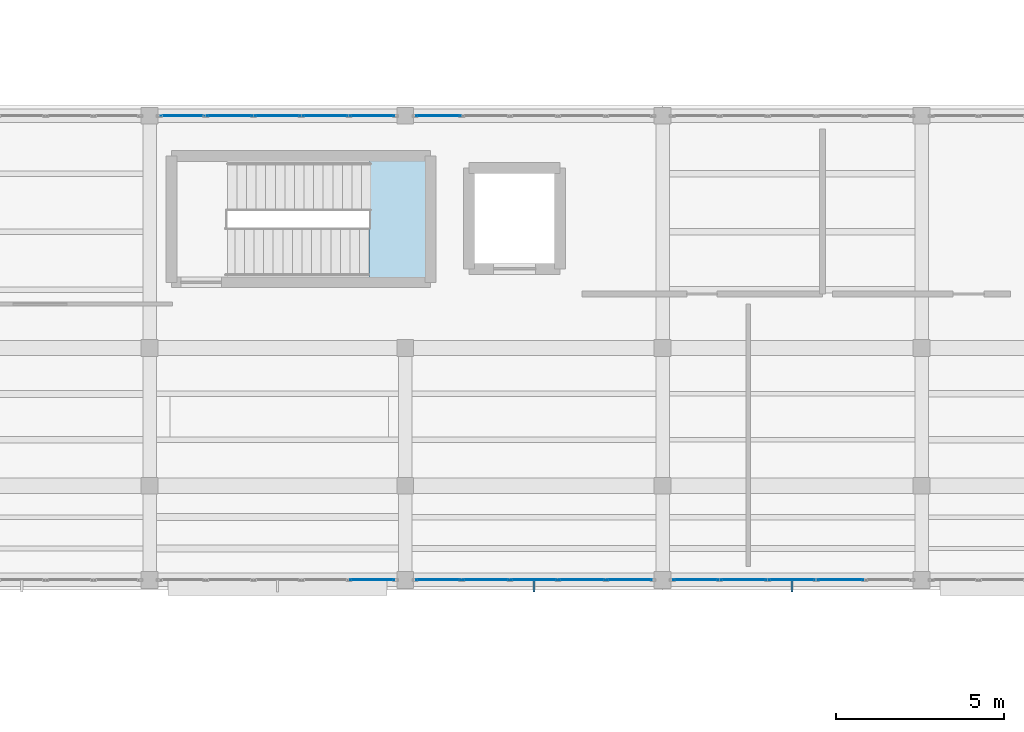
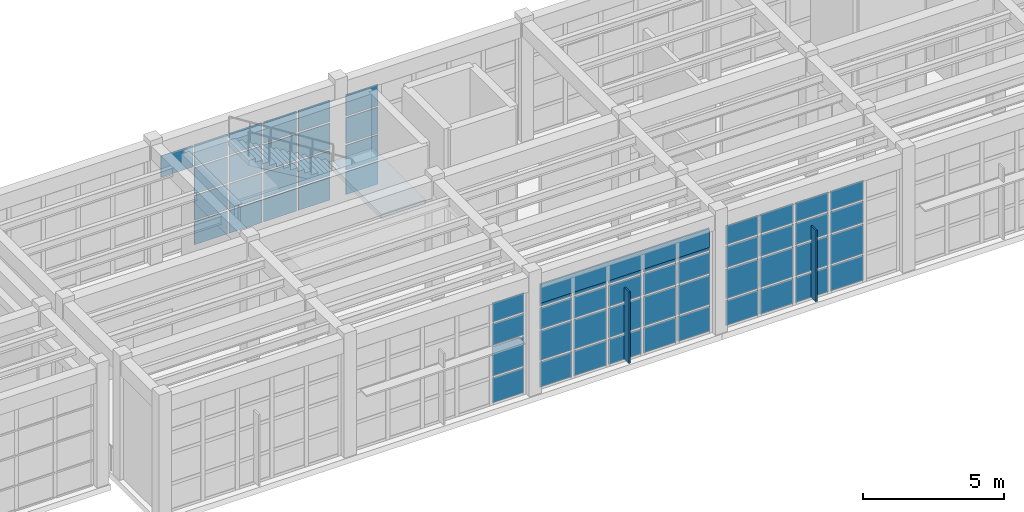
# One storey, part 70 of 103: 64 plates, 1 slab, 6 elements without a shape of their own.
"""IFC4 building model written with IfcOpenShell, lengths in metres."""

from ifc_helpers import new_model, si_unit, direction, frame, origin, origin_2d, place, context, subcontext, project, spatial, polyline, rectangle, outline, extrude, material, layer, layer_set, type_object, element, aggregate, save


model = new_model("IFC4")

# Units and contexts
model_context = context("Model", 3, precision=1e-05, world=origin(), true_north=direction((0.0, 1.0)))
body_context = subcontext(model_context, "Body", "Model", "MODEL_VIEW")
ifc_project = project(units=[si_unit("LENGTHUNIT", "METRE"), si_unit("AREAUNIT", "SQUARE_METRE"), si_unit("VOLUMEUNIT", "CUBIC_METRE"), si_unit("PLANEANGLEUNIT", "RADIAN"), si_unit("MASSUNIT", "GRAM", prefix="KILO")], contexts=[model_context])

# Site, building, storey
site_placement = place(None, origin())
site = spatial("IfcSite", under=ifc_project, at=site_placement, CompositionType="ELEMENT")
building_placement = place(site_placement, origin())
building = spatial("IfcBuilding", under=site, at=building_placement, Name="Candilejo Ridge Gondola Terminal", CompositionType="ELEMENT")
storey_placement = place(building_placement, frame((0.0, 0.0, 9.0)))
storey = spatial("IfcBuildingStorey", under=building, at=storey_placement, Name="L02", CompositionType="ELEMENT", Elevation=9.0)

# Curtain wall, plates
ifc_material_1 = material(Name="Anodised aluminium AA 6063-T6", Category="aluminium")
ifc_layer_1 = layer(ifc_material_1, 0.169921875)
ifc_layer_set_1 = layer_set([ifc_layer_1], Name="ARC-CW-GALLERY-3200-710X449")
curtain_wall_type_1 = type_object("IfcCurtainWallType", Name="ARC-CW-GALLERY-3200-710X449", PredefinedType="NOTDEFINED", material=ifc_layer_set_1)
curtain_wall_1_placement = place(storey_placement, origin())
curtain_wall_1 = element("IfcCurtainWall", 1, at=curtain_wall_1_placement, inside=storey, type_object=curtain_wall_type_1, Name="Curtain wall V3 L02-084", PredefinedType="NOTDEFINED")
ifc_material_2 = material(Name="Low-E laminated double glazing 6+12A+6+1.52PVB+6 mm", Category="glass")
ifc_layer_2 = layer(ifc_material_2, 0.028076171875)
ifc_layer_set_2 = layer_set([ifc_layer_2], Name="ARC-CW-GLAZ-PANEL")
plate_type_1 = type_object("IfcPlateType", Name="ARC-CW-GLAZ-PANEL", PredefinedType="CURTAIN_PANEL", material=ifc_layer_set_2)
plate_1_placement = place(storey_placement, frame((95.578857421875, 36.699951171875, 3.4873046875), z_axis=(0.0, 0.0, 1.0), x_axis=(1.0, 0.0, 0.0)))
plate_1 = element("IfcPlate", 2, at=plate_1_placement, type_object=plate_type_1, Name="CW-71X44 panel 1.4", PredefinedType="CURTAIN_PANEL", context=body_context, shape_type="SweptSolid", body=[
    extrude(rectangle(XDim=1.3076171875, YDim=0.028076171875, at=origin_2d()), origin(), (0.0, 0.0, 1.0), 0.927490234375),
])
plate_2_placement = place(storey_placement, frame((96.97998046875, 36.699951171875, 0.0751953125), z_axis=(0.0, 0.0, 1.0), x_axis=(1.0, 0.0, 0.0)))
plate_2 = element("IfcPlate", 3, at=plate_2_placement, type_object=plate_type_1, Name="CW-71X44 panel 2.1", PredefinedType="CURTAIN_PANEL", context=body_context, shape_type="SweptSolid", body=[
    extrude(rectangle(XDim=1.344970703125, YDim=0.028076171875, at=origin_2d()), origin(), (0.0, 0.0, 1.0), 0.987548828125),
])
plate_3_placement = place(storey_placement, frame((96.97998046875, 36.699951171875, 1.1376953125), z_axis=(0.0, 0.0, 1.0), x_axis=(1.0, 0.0, 0.0)))
plate_3 = element("IfcPlate", 4, at=plate_3_placement, type_object=plate_type_1, Name="CW-71X44 panel 2.2", PredefinedType="CURTAIN_PANEL", context=body_context, shape_type="SweptSolid", body=[
    extrude(rectangle(XDim=1.344970703125, YDim=0.028076171875, at=origin_2d()), origin(), (0.0, 0.0, 1.0), 1.074951171875),
])
plate_4_placement = place(storey_placement, frame((96.97998046875, 36.699951171875, 2.28759765625), z_axis=(0.0, 0.0, 1.0), x_axis=(1.0, 0.0, 0.0)))
plate_4 = element("IfcPlate", 5, at=plate_4_placement, type_object=plate_type_1, Name="CW-71X44 panel 2.3", PredefinedType="CURTAIN_PANEL", context=body_context, shape_type="SweptSolid", body=[
    extrude(rectangle(XDim=1.344970703125, YDim=0.028076171875, at=origin_2d()), origin(), (0.0, 0.0, 1.0), 1.125),
])
plate_5_placement = place(storey_placement, frame((96.97998046875, 36.699951171875, 3.4873046875), z_axis=(0.0, 0.0, 1.0), x_axis=(1.0, 0.0, 0.0)))
plate_5 = element("IfcPlate", 6, at=plate_5_placement, type_object=plate_type_1, Name="CW-71X44 panel 2.4", PredefinedType="CURTAIN_PANEL", context=body_context, shape_type="SweptSolid", body=[
    extrude(rectangle(XDim=1.344970703125, YDim=0.028076171875, at=origin_2d()), origin(), (0.0, 0.0, 1.0), 0.927490234375),
])
plate_6_placement = place(storey_placement, frame((98.39990234375, 36.699951171875, 0.0751953125), z_axis=(0.0, 0.0, 1.0), x_axis=(1.0, 0.0, 0.0)))
plate_6 = element("IfcPlate", 7, at=plate_6_placement, type_object=plate_type_1, Name="CW-71X44 panel 3.1", PredefinedType="CURTAIN_PANEL", context=body_context, shape_type="SweptSolid", body=[
    extrude(rectangle(XDim=1.344970703125, YDim=0.028076171875, at=origin_2d()), origin(), (0.0, 0.0, 1.0), 0.987548828125),
])
plate_7_placement = place(storey_placement, frame((98.39990234375, 36.699951171875, 1.1376953125), z_axis=(0.0, 0.0, 1.0), x_axis=(1.0, 0.0, 0.0)))
plate_7 = element("IfcPlate", 8, at=plate_7_placement, type_object=plate_type_1, Name="CW-71X44 panel 3.2", PredefinedType="CURTAIN_PANEL", context=body_context, shape_type="SweptSolid", body=[
    extrude(rectangle(XDim=1.344970703125, YDim=0.028076171875, at=origin_2d()), origin(), (0.0, 0.0, 1.0), 1.074951171875),
])
plate_8_placement = place(storey_placement, frame((98.39990234375, 36.699951171875, 2.28759765625), z_axis=(0.0, 0.0, 1.0), x_axis=(1.0, 0.0, 0.0)))
plate_8 = element("IfcPlate", 9, at=plate_8_placement, type_object=plate_type_1, Name="CW-71X44 panel 3.3", PredefinedType="CURTAIN_PANEL", context=body_context, shape_type="SweptSolid", body=[
    extrude(rectangle(XDim=1.344970703125, YDim=0.028076171875, at=origin_2d()), origin(), (0.0, 0.0, 1.0), 1.125),
])
plate_9_placement = place(storey_placement, frame((98.39990234375, 36.699951171875, 3.4873046875), z_axis=(0.0, 0.0, 1.0), x_axis=(1.0, 0.0, 0.0)))
plate_9 = element("IfcPlate", 10, at=plate_9_placement, type_object=plate_type_1, Name="CW-71X44 panel 3.4", PredefinedType="CURTAIN_PANEL", context=body_context, shape_type="SweptSolid", body=[
    extrude(rectangle(XDim=1.344970703125, YDim=0.028076171875, at=origin_2d()), origin(), (0.0, 0.0, 1.0), 0.927490234375),
])
plate_10_placement = place(storey_placement, frame((99.820068359375, 36.699951171875, 0.0751953125), z_axis=(0.0, 0.0, 1.0), x_axis=(1.0, 0.0, 0.0)))
plate_10 = element("IfcPlate", 11, at=plate_10_placement, type_object=plate_type_1, Name="CW-71X44 panel 4.1", PredefinedType="CURTAIN_PANEL", context=body_context, shape_type="SweptSolid", body=[
    extrude(rectangle(XDim=1.344970703125, YDim=0.028076171875, at=origin_2d()), origin(), (0.0, 0.0, 1.0), 0.987548828125),
])
plate_11_placement = place(storey_placement, frame((99.820068359375, 36.699951171875, 1.1376953125), z_axis=(0.0, 0.0, 1.0), x_axis=(1.0, 0.0, 0.0)))
plate_11 = element("IfcPlate", 12, at=plate_11_placement, type_object=plate_type_1, Name="CW-71X44 panel 4.2", PredefinedType="CURTAIN_PANEL", context=body_context, shape_type="SweptSolid", body=[
    extrude(rectangle(XDim=1.344970703125, YDim=0.028076171875, at=origin_2d()), origin(), (0.0, 0.0, 1.0), 1.074951171875),
])
plate_12_placement = place(storey_placement, frame((99.820068359375, 36.699951171875, 2.28759765625), z_axis=(0.0, 0.0, 1.0), x_axis=(1.0, 0.0, 0.0)))
plate_12 = element("IfcPlate", 13, at=plate_12_placement, type_object=plate_type_1, Name="CW-71X44 panel 4.3", PredefinedType="CURTAIN_PANEL", context=body_context, shape_type="SweptSolid", body=[
    extrude(rectangle(XDim=1.344970703125, YDim=0.028076171875, at=origin_2d()), origin(), (0.0, 0.0, 1.0), 1.125),
])
plate_13_placement = place(storey_placement, frame((99.820068359375, 36.699951171875, 3.4873046875), z_axis=(0.0, 0.0, 1.0), x_axis=(1.0, 0.0, 0.0)))
plate_13 = element("IfcPlate", 14, at=plate_13_placement, type_object=plate_type_1, Name="CW-71X44 panel 4.4", PredefinedType="CURTAIN_PANEL", context=body_context, shape_type="SweptSolid", body=[
    extrude(rectangle(XDim=1.344970703125, YDim=0.028076171875, at=origin_2d()), origin(), (0.0, 0.0, 1.0), 0.927490234375),
])
plate_14_placement = place(storey_placement, frame((101.22119140625, 36.699951171875, 0.0751953125), z_axis=(0.0, 0.0, 1.0), x_axis=(1.0, 0.0, 0.0)))
plate_14 = element("IfcPlate", 15, at=plate_14_placement, type_object=plate_type_1, Name="CW-71X44 panel 5.1", PredefinedType="CURTAIN_PANEL", context=body_context, shape_type="SweptSolid", body=[
    extrude(rectangle(XDim=1.3076171875, YDim=0.028076171875, at=origin_2d()), origin(), (0.0, 0.0, 1.0), 0.987548828125),
])
plate_15_placement = place(storey_placement, frame((101.22119140625, 36.699951171875, 1.1376953125), z_axis=(0.0, 0.0, 1.0), x_axis=(1.0, 0.0, 0.0)))
plate_15 = element("IfcPlate", 16, at=plate_15_placement, type_object=plate_type_1, Name="CW-71X44 panel 5.2", PredefinedType="CURTAIN_PANEL", context=body_context, shape_type="SweptSolid", body=[
    extrude(rectangle(XDim=1.3076171875, YDim=0.028076171875, at=origin_2d()), origin(), (0.0, 0.0, 1.0), 1.074951171875),
])
plate_16_placement = place(storey_placement, frame((101.22119140625, 36.699951171875, 2.28759765625), z_axis=(0.0, 0.0, 1.0), x_axis=(1.0, 0.0, 0.0)))
plate_16 = element("IfcPlate", 17, at=plate_16_placement, type_object=plate_type_1, Name="CW-71X44 panel 5.3", PredefinedType="CURTAIN_PANEL", context=body_context, shape_type="SweptSolid", body=[
    extrude(rectangle(XDim=1.3076171875, YDim=0.028076171875, at=origin_2d()), origin(), (0.0, 0.0, 1.0), 1.125),
])
plate_17_placement = place(storey_placement, frame((101.22119140625, 36.699951171875, 3.4873046875), z_axis=(0.0, 0.0, 1.0), x_axis=(1.0, 0.0, 0.0)))
plate_17 = element("IfcPlate", 18, at=plate_17_placement, type_object=plate_type_1, Name="CW-71X44 panel 5.4", PredefinedType="CURTAIN_PANEL", context=body_context, shape_type="SweptSolid", body=[
    extrude(rectangle(XDim=1.3076171875, YDim=0.028076171875, at=origin_2d()), origin(), (0.0, 0.0, 1.0), 0.927490234375),
])
aggregate(curtain_wall_1, [plate_1, plate_2, plate_3, plate_4, plate_5, plate_6, plate_7, plate_8, plate_9, plate_10, plate_11, plate_12, plate_13, plate_14, plate_15, plate_16, plate_17])

ifc_material_3 = material(Name="Anodised aluminium AA 6063-T6", Category="aluminium")
ifc_layer_3 = layer(ifc_material_3, 0.169921875)
ifc_layer_set_3 = layer_set([ifc_layer_3], Name="ARC-CW-CONCOURSE-3600-710X449")
curtain_wall_type_2 = type_object("IfcCurtainWallType", Name="ARC-CW-CONCOURSE-3600-710X449", PredefinedType="NOTDEFINED", material=ifc_layer_set_3)
curtain_wall_2_placement = place(storey_placement, origin())
curtain_wall_2 = element("IfcCurtainWall", 19, at=curtain_wall_2_placement, inside=storey, type_object=curtain_wall_type_2, Name="Curtain wall V3 L02-085", PredefinedType="NOTDEFINED")
plate_18_placement = place(storey_placement, frame((101.22119140625, 22.89990234375, 0.074951171875), z_axis=(0.0, 0.0, 1.0), x_axis=(1.0, 0.0, 0.0)))
plate_18 = element("IfcPlate", 20, at=plate_18_placement, type_object=plate_type_1, Name="CW-71X44 panel 5.1", PredefinedType="CURTAIN_PANEL", context=body_context, shape_type="SweptSolid", body=[
    extrude(rectangle(XDim=1.3076171875, YDim=0.028076171875, at=origin_2d()), origin(), (0.0, 0.0, 1.0), 1.08740234375),
])
plate_19_placement = place(storey_placement, frame((101.22119140625, 22.89990234375, 1.237548828125), z_axis=(0.0, 0.0, 1.0), x_axis=(1.0, 0.0, 0.0)))
plate_19 = element("IfcPlate", 21, at=plate_19_placement, type_object=plate_type_1, Name="CW-71X44 panel 5.2", PredefinedType="CURTAIN_PANEL", context=body_context, shape_type="SweptSolid", body=[
    extrude(rectangle(XDim=1.3076171875, YDim=0.028076171875, at=origin_2d()), origin(), (0.0, 0.0, 1.0), 1.27490234375),
])
plate_20_placement = place(storey_placement, frame((101.22119140625, 22.89990234375, 2.58740234375), z_axis=(0.0, 0.0, 1.0), x_axis=(1.0, 0.0, 0.0)))
plate_20 = element("IfcPlate", 22, at=plate_20_placement, type_object=plate_type_1, Name="CW-71X44 panel 5.3", PredefinedType="CURTAIN_PANEL", context=body_context, shape_type="SweptSolid", body=[
    extrude(rectangle(XDim=1.3076171875, YDim=0.028076171875, at=origin_2d()), origin(), (0.0, 0.0, 1.0), 0.925048828125),
])
plate_21_placement = place(storey_placement, frame((101.22119140625, 22.89990234375, 3.58740234375), z_axis=(0.0, 0.0, 1.0), x_axis=(1.0, 0.0, 0.0)))
plate_21 = element("IfcPlate", 23, at=plate_21_placement, type_object=plate_type_1, Name="CW-71X44 panel 5.4", PredefinedType="CURTAIN_PANEL", context=body_context, shape_type="SweptSolid", body=[
    extrude(rectangle(XDim=1.3076171875, YDim=0.028076171875, at=origin_2d()), origin(), (0.0, 0.0, 1.0), 0.827392578125),
])
aggregate(curtain_wall_2, [plate_18, plate_19, plate_20, plate_21])

ifc_material_4 = material(Name="Anodised aluminium AA 6063-T6", Category="aluminium")
ifc_layer_4 = layer(ifc_material_4, 0.169921875)
ifc_layer_set_4 = layer_set([ifc_layer_4], Name="ARC-CW-GALLERY-3200-715X449")
curtain_wall_type_3 = type_object("IfcCurtainWallType", Name="ARC-CW-GALLERY-3200-715X449", PredefinedType="NOTDEFINED", material=ifc_layer_set_4)
curtain_wall_3_placement = place(storey_placement, origin())
curtain_wall_3 = element("IfcCurtainWall", 24, at=curtain_wall_3_placement, inside=storey, type_object=curtain_wall_type_3, Name="Curtain wall V3 L02-086", PredefinedType="NOTDEFINED")
plate_22_placement = place(storey_placement, frame((103.183837890625, 36.699951171875, 0.0751953125), z_axis=(0.0, 0.0, 1.0), x_axis=(1.0, 0.0, 0.0)))
plate_22 = element("IfcPlate", 25, at=plate_22_placement, type_object=plate_type_1, Name="CW-71X44 panel 1.1", PredefinedType="CURTAIN_PANEL", context=body_context, shape_type="SweptSolid", body=[
    extrude(rectangle(XDim=1.3173828125, YDim=0.028076171875, at=origin_2d()), origin(), (0.0, 0.0, 1.0), 0.987548828125),
])
plate_23_placement = place(storey_placement, frame((103.183837890625, 36.699951171875, 1.1376953125), z_axis=(0.0, 0.0, 1.0), x_axis=(1.0, 0.0, 0.0)))
plate_23 = element("IfcPlate", 26, at=plate_23_placement, type_object=plate_type_1, Name="CW-71X44 panel 1.2", PredefinedType="CURTAIN_PANEL", context=body_context, shape_type="SweptSolid", body=[
    extrude(rectangle(XDim=1.3173828125, YDim=0.028076171875, at=origin_2d()), origin(), (0.0, 0.0, 1.0), 1.074951171875),
])
plate_24_placement = place(storey_placement, frame((103.183837890625, 36.699951171875, 2.28759765625), z_axis=(0.0, 0.0, 1.0), x_axis=(1.0, 0.0, 0.0)))
plate_24 = element("IfcPlate", 27, at=plate_24_placement, type_object=plate_type_1, Name="CW-71X44 panel 1.3", PredefinedType="CURTAIN_PANEL", context=body_context, shape_type="SweptSolid", body=[
    extrude(rectangle(XDim=1.3173828125, YDim=0.028076171875, at=origin_2d()), origin(), (0.0, 0.0, 1.0), 1.125),
])
plate_25_placement = place(storey_placement, frame((103.183837890625, 36.699951171875, 3.4873046875), z_axis=(0.0, 0.0, 1.0), x_axis=(1.0, 0.0, 0.0)))
plate_25 = element("IfcPlate", 28, at=plate_25_placement, type_object=plate_type_1, Name="CW-71X44 panel 1.4", PredefinedType="CURTAIN_PANEL", context=body_context, shape_type="SweptSolid", body=[
    extrude(rectangle(XDim=1.3173828125, YDim=0.028076171875, at=origin_2d()), origin(), (0.0, 0.0, 1.0), 0.927490234375),
])
aggregate(curtain_wall_3, [plate_22, plate_23, plate_24, plate_25])

ifc_material_5 = material(Name="Anodised aluminium AA 6063-T6", Category="aluminium")
ifc_layer_5 = layer(ifc_material_5, 0.169921875)
ifc_layer_set_5 = layer_set([ifc_layer_5], Name="ARC-CW-CONCOURSE-3600-715X449")
curtain_wall_type_4 = type_object("IfcCurtainWallType", Name="ARC-CW-CONCOURSE-3600-715X449", PredefinedType="NOTDEFINED", material=ifc_layer_set_5)
curtain_wall_4_placement = place(storey_placement, origin())
curtain_wall_4 = element("IfcCurtainWall", 29, at=curtain_wall_4_placement, inside=storey, type_object=curtain_wall_type_4, Name="Curtain wall V3 L02-087", PredefinedType="NOTDEFINED")
plate_26_placement = place(storey_placement, frame((103.183837890625, 22.89990234375, 0.074951171875), z_axis=(0.0, 0.0, 1.0), x_axis=(1.0, 0.0, 0.0)))
plate_26 = element("IfcPlate", 30, at=plate_26_placement, type_object=plate_type_1, Name="CW-71X44 panel 1.1", PredefinedType="CURTAIN_PANEL", context=body_context, shape_type="SweptSolid", body=[
    extrude(rectangle(XDim=1.3173828125, YDim=0.028076171875, at=origin_2d()), origin(), (0.0, 0.0, 1.0), 1.08740234375),
])
plate_27_placement = place(storey_placement, frame((103.183837890625, 22.89990234375, 1.237548828125), z_axis=(0.0, 0.0, 1.0), x_axis=(1.0, 0.0, 0.0)))
plate_27 = element("IfcPlate", 31, at=plate_27_placement, type_object=plate_type_1, Name="CW-71X44 panel 1.2", PredefinedType="CURTAIN_PANEL", context=body_context, shape_type="SweptSolid", body=[
    extrude(rectangle(XDim=1.3173828125, YDim=0.028076171875, at=origin_2d()), origin(), (0.0, 0.0, 1.0), 1.27490234375),
])
plate_28_placement = place(storey_placement, frame((103.183837890625, 22.89990234375, 2.58740234375), z_axis=(0.0, 0.0, 1.0), x_axis=(1.0, 0.0, 0.0)))
plate_28 = element("IfcPlate", 32, at=plate_28_placement, type_object=plate_type_1, Name="CW-71X44 panel 1.3", PredefinedType="CURTAIN_PANEL", context=body_context, shape_type="SweptSolid", body=[
    extrude(rectangle(XDim=1.3173828125, YDim=0.028076171875, at=origin_2d()), origin(), (0.0, 0.0, 1.0), 0.925048828125),
])
plate_29_placement = place(storey_placement, frame((103.183837890625, 22.89990234375, 3.58740234375), z_axis=(0.0, 0.0, 1.0), x_axis=(1.0, 0.0, 0.0)))
plate_29 = element("IfcPlate", 33, at=plate_29_placement, type_object=plate_type_1, Name="CW-71X44 panel 1.4", PredefinedType="CURTAIN_PANEL", context=body_context, shape_type="SweptSolid", body=[
    extrude(rectangle(XDim=1.3173828125, YDim=0.028076171875, at=origin_2d()), origin(), (0.0, 0.0, 1.0), 0.827392578125),
])
plate_30_placement = place(storey_placement, frame((104.594970703125, 22.89990234375, 0.074951171875), z_axis=(0.0, 0.0, 1.0), x_axis=(1.0, 0.0, 0.0)))
plate_30 = element("IfcPlate", 34, at=plate_30_placement, type_object=plate_type_1, Name="CW-71X44 panel 2.1", PredefinedType="CURTAIN_PANEL", context=body_context, shape_type="SweptSolid", body=[
    extrude(rectangle(XDim=1.35498046875, YDim=0.028076171875, at=origin_2d()), origin(), (0.0, 0.0, 1.0), 1.08740234375),
])
plate_31_placement = place(storey_placement, frame((104.594970703125, 22.89990234375, 1.237548828125), z_axis=(0.0, 0.0, 1.0), x_axis=(1.0, 0.0, 0.0)))
plate_31 = element("IfcPlate", 35, at=plate_31_placement, type_object=plate_type_1, Name="CW-71X44 panel 2.2", PredefinedType="CURTAIN_PANEL", context=body_context, shape_type="SweptSolid", body=[
    extrude(rectangle(XDim=1.35498046875, YDim=0.028076171875, at=origin_2d()), origin(), (0.0, 0.0, 1.0), 1.27490234375),
])
plate_32_placement = place(storey_placement, frame((104.594970703125, 22.89990234375, 2.58740234375), z_axis=(0.0, 0.0, 1.0), x_axis=(1.0, 0.0, 0.0)))
plate_32 = element("IfcPlate", 36, at=plate_32_placement, type_object=plate_type_1, Name="CW-71X44 panel 2.3", PredefinedType="CURTAIN_PANEL", context=body_context, shape_type="SweptSolid", body=[
    extrude(rectangle(XDim=1.35498046875, YDim=0.028076171875, at=origin_2d()), origin(), (0.0, 0.0, 1.0), 0.925048828125),
])
plate_33_placement = place(storey_placement, frame((104.594970703125, 22.89990234375, 3.58740234375), z_axis=(0.0, 0.0, 1.0), x_axis=(1.0, 0.0, 0.0)))
plate_33 = element("IfcPlate", 37, at=plate_33_placement, type_object=plate_type_1, Name="CW-71X44 panel 2.4", PredefinedType="CURTAIN_PANEL", context=body_context, shape_type="SweptSolid", body=[
    extrude(rectangle(XDim=1.35498046875, YDim=0.028076171875, at=origin_2d()), origin(), (0.0, 0.0, 1.0), 0.827392578125),
])
plate_34_placement = place(storey_placement, frame((106.02490234375, 22.89990234375, 0.074951171875), z_axis=(0.0, 0.0, 1.0), x_axis=(1.0, 0.0, 0.0)))
plate_34 = element("IfcPlate", 38, at=plate_34_placement, type_object=plate_type_1, Name="CW-71X44 panel 3.1", PredefinedType="CURTAIN_PANEL", context=body_context, shape_type="SweptSolid", body=[
    extrude(rectangle(XDim=1.35498046875, YDim=0.028076171875, at=origin_2d()), origin(), (0.0, 0.0, 1.0), 1.08740234375),
])
plate_35_placement = place(storey_placement, frame((106.02490234375, 22.89990234375, 1.237548828125), z_axis=(0.0, 0.0, 1.0), x_axis=(1.0, 0.0, 0.0)))
plate_35 = element("IfcPlate", 39, at=plate_35_placement, type_object=plate_type_1, Name="CW-71X44 panel 3.2", PredefinedType="CURTAIN_PANEL", context=body_context, shape_type="SweptSolid", body=[
    extrude(rectangle(XDim=1.35498046875, YDim=0.028076171875, at=origin_2d()), origin(), (0.0, 0.0, 1.0), 1.27490234375),
])
plate_36_placement = place(storey_placement, frame((106.02490234375, 22.89990234375, 2.58740234375), z_axis=(0.0, 0.0, 1.0), x_axis=(1.0, 0.0, 0.0)))
plate_36 = element("IfcPlate", 40, at=plate_36_placement, type_object=plate_type_1, Name="CW-71X44 panel 3.3", PredefinedType="CURTAIN_PANEL", context=body_context, shape_type="SweptSolid", body=[
    extrude(rectangle(XDim=1.35498046875, YDim=0.028076171875, at=origin_2d()), origin(), (0.0, 0.0, 1.0), 0.925048828125),
])
plate_37_placement = place(storey_placement, frame((106.02490234375, 22.89990234375, 3.58740234375), z_axis=(0.0, 0.0, 1.0), x_axis=(1.0, 0.0, 0.0)))
plate_37 = element("IfcPlate", 41, at=plate_37_placement, type_object=plate_type_1, Name="CW-71X44 panel 3.4", PredefinedType="CURTAIN_PANEL", context=body_context, shape_type="SweptSolid", body=[
    extrude(rectangle(XDim=1.35498046875, YDim=0.028076171875, at=origin_2d()), origin(), (0.0, 0.0, 1.0), 0.827392578125),
])
plate_38_placement = place(storey_placement, frame((107.455078125, 22.89990234375, 0.074951171875), z_axis=(0.0, 0.0, 1.0), x_axis=(1.0, 0.0, 0.0)))
plate_38 = element("IfcPlate", 42, at=plate_38_placement, type_object=plate_type_1, Name="CW-71X44 panel 4.1", PredefinedType="CURTAIN_PANEL", context=body_context, shape_type="SweptSolid", body=[
    extrude(rectangle(XDim=1.35498046875, YDim=0.028076171875, at=origin_2d()), origin(), (0.0, 0.0, 1.0), 1.08740234375),
])
plate_39_placement = place(storey_placement, frame((107.455078125, 22.89990234375, 1.237548828125), z_axis=(0.0, 0.0, 1.0), x_axis=(1.0, 0.0, 0.0)))
plate_39 = element("IfcPlate", 43, at=plate_39_placement, type_object=plate_type_1, Name="CW-71X44 panel 4.2", PredefinedType="CURTAIN_PANEL", context=body_context, shape_type="SweptSolid", body=[
    extrude(rectangle(XDim=1.35498046875, YDim=0.028076171875, at=origin_2d()), origin(), (0.0, 0.0, 1.0), 1.27490234375),
])
plate_40_placement = place(storey_placement, frame((107.455078125, 22.89990234375, 2.58740234375), z_axis=(0.0, 0.0, 1.0), x_axis=(1.0, 0.0, 0.0)))
plate_40 = element("IfcPlate", 44, at=plate_40_placement, type_object=plate_type_1, Name="CW-71X44 panel 4.3", PredefinedType="CURTAIN_PANEL", context=body_context, shape_type="SweptSolid", body=[
    extrude(rectangle(XDim=1.35498046875, YDim=0.028076171875, at=origin_2d()), origin(), (0.0, 0.0, 1.0), 0.925048828125),
])
plate_41_placement = place(storey_placement, frame((107.455078125, 22.89990234375, 3.58740234375), z_axis=(0.0, 0.0, 1.0), x_axis=(1.0, 0.0, 0.0)))
plate_41 = element("IfcPlate", 45, at=plate_41_placement, type_object=plate_type_1, Name="CW-71X44 panel 4.4", PredefinedType="CURTAIN_PANEL", context=body_context, shape_type="SweptSolid", body=[
    extrude(rectangle(XDim=1.35498046875, YDim=0.028076171875, at=origin_2d()), origin(), (0.0, 0.0, 1.0), 0.827392578125),
])
plate_42_placement = place(storey_placement, frame((108.8662109375, 22.89990234375, 0.074951171875), z_axis=(0.0, 0.0, 1.0), x_axis=(1.0, 0.0, 0.0)))
plate_42 = element("IfcPlate", 46, at=plate_42_placement, type_object=plate_type_1, Name="CW-71X44 panel 5.1", PredefinedType="CURTAIN_PANEL", context=body_context, shape_type="SweptSolid", body=[
    extrude(rectangle(XDim=1.3173828125, YDim=0.028076171875, at=origin_2d()), origin(), (0.0, 0.0, 1.0), 1.08740234375),
])
plate_43_placement = place(storey_placement, frame((108.8662109375, 22.89990234375, 1.237548828125), z_axis=(0.0, 0.0, 1.0), x_axis=(1.0, 0.0, 0.0)))
plate_43 = element("IfcPlate", 47, at=plate_43_placement, type_object=plate_type_1, Name="CW-71X44 panel 5.2", PredefinedType="CURTAIN_PANEL", context=body_context, shape_type="SweptSolid", body=[
    extrude(rectangle(XDim=1.3173828125, YDim=0.028076171875, at=origin_2d()), origin(), (0.0, 0.0, 1.0), 1.27490234375),
])
plate_44_placement = place(storey_placement, frame((108.8662109375, 22.89990234375, 2.58740234375), z_axis=(0.0, 0.0, 1.0), x_axis=(1.0, 0.0, 0.0)))
plate_44 = element("IfcPlate", 48, at=plate_44_placement, type_object=plate_type_1, Name="CW-71X44 panel 5.3", PredefinedType="CURTAIN_PANEL", context=body_context, shape_type="SweptSolid", body=[
    extrude(rectangle(XDim=1.3173828125, YDim=0.028076171875, at=origin_2d()), origin(), (0.0, 0.0, 1.0), 0.925048828125),
])
plate_45_placement = place(storey_placement, frame((108.8662109375, 22.89990234375, 3.58740234375), z_axis=(0.0, 0.0, 1.0), x_axis=(1.0, 0.0, 0.0)))
plate_45 = element("IfcPlate", 49, at=plate_45_placement, type_object=plate_type_1, Name="CW-71X44 panel 5.4", PredefinedType="CURTAIN_PANEL", context=body_context, shape_type="SweptSolid", body=[
    extrude(rectangle(XDim=1.3173828125, YDim=0.028076171875, at=origin_2d()), origin(), (0.0, 0.0, 1.0), 0.827392578125),
])
aggregate(curtain_wall_4, [plate_26, plate_27, plate_28, plate_29, plate_30, plate_31, plate_32, plate_33, plate_34, plate_35, plate_36, plate_37, plate_38, plate_39, plate_40, plate_41, plate_42, plate_43, plate_44, plate_45])

ifc_material_6 = material(Name="Anodised aluminium AA 6063-T6", Category="aluminium")
ifc_layer_6 = layer(ifc_material_6, 0.169921875)
ifc_layer_set_6 = layer_set([ifc_layer_6], Name="ARC-CW-CONCOURSE-3600-720X449")
curtain_wall_type_5 = type_object("IfcCurtainWallType", Name="ARC-CW-CONCOURSE-3600-720X449", PredefinedType="NOTDEFINED", material=ifc_layer_set_6)
curtain_wall_5_placement = place(storey_placement, origin())
curtain_wall_5 = element("IfcCurtainWall", 50, at=curtain_wall_5_placement, inside=storey, type_object=curtain_wall_type_5, Name="Curtain wall V3 L02-089", PredefinedType="NOTDEFINED")
plate_46_placement = place(storey_placement, frame((110.8388671875, 22.89990234375, 0.074951171875), z_axis=(0.0, 0.0, 1.0), x_axis=(1.0, 0.0, 0.0)))
plate_46 = element("IfcPlate", 51, at=plate_46_placement, type_object=plate_type_1, Name="CW-72X44 panel 1.1", PredefinedType="CURTAIN_PANEL", context=body_context, shape_type="SweptSolid", body=[
    extrude(rectangle(XDim=1.327392578125, YDim=0.028076171875, at=origin_2d()), origin(), (0.0, 0.0, 1.0), 1.08740234375),
])
plate_47_placement = place(storey_placement, frame((110.8388671875, 22.89990234375, 1.237548828125), z_axis=(0.0, 0.0, 1.0), x_axis=(1.0, 0.0, 0.0)))
plate_47 = element("IfcPlate", 52, at=plate_47_placement, type_object=plate_type_1, Name="CW-72X44 panel 1.2", PredefinedType="CURTAIN_PANEL", context=body_context, shape_type="SweptSolid", body=[
    extrude(rectangle(XDim=1.327392578125, YDim=0.028076171875, at=origin_2d()), origin(), (0.0, 0.0, 1.0), 1.27490234375),
])
plate_48_placement = place(storey_placement, frame((110.8388671875, 22.89990234375, 2.58740234375), z_axis=(0.0, 0.0, 1.0), x_axis=(1.0, 0.0, 0.0)))
plate_48 = element("IfcPlate", 53, at=plate_48_placement, type_object=plate_type_1, Name="CW-72X44 panel 1.3", PredefinedType="CURTAIN_PANEL", context=body_context, shape_type="SweptSolid", body=[
    extrude(rectangle(XDim=1.327392578125, YDim=0.028076171875, at=origin_2d()), origin(), (0.0, 0.0, 1.0), 0.925048828125),
])
plate_49_placement = place(storey_placement, frame((110.8388671875, 22.89990234375, 3.58740234375), z_axis=(0.0, 0.0, 1.0), x_axis=(1.0, 0.0, 0.0)))
plate_49 = element("IfcPlate", 54, at=plate_49_placement, type_object=plate_type_1, Name="CW-72X44 panel 1.4", PredefinedType="CURTAIN_PANEL", context=body_context, shape_type="SweptSolid", body=[
    extrude(rectangle(XDim=1.327392578125, YDim=0.028076171875, at=origin_2d()), origin(), (0.0, 0.0, 1.0), 0.827392578125),
])
plate_50_placement = place(storey_placement, frame((112.260009765625, 22.89990234375, 0.074951171875), z_axis=(0.0, 0.0, 1.0), x_axis=(1.0, 0.0, 0.0)))
plate_50 = element("IfcPlate", 55, at=plate_50_placement, type_object=plate_type_1, Name="CW-72X44 panel 2.1", PredefinedType="CURTAIN_PANEL", context=body_context, shape_type="SweptSolid", body=[
    extrude(rectangle(XDim=1.364990234375, YDim=0.028076171875, at=origin_2d()), origin(), (0.0, 0.0, 1.0), 1.08740234375),
])
plate_51_placement = place(storey_placement, frame((112.260009765625, 22.89990234375, 1.237548828125), z_axis=(0.0, 0.0, 1.0), x_axis=(1.0, 0.0, 0.0)))
plate_51 = element("IfcPlate", 56, at=plate_51_placement, type_object=plate_type_1, Name="CW-72X44 panel 2.2", PredefinedType="CURTAIN_PANEL", context=body_context, shape_type="SweptSolid", body=[
    extrude(rectangle(XDim=1.364990234375, YDim=0.028076171875, at=origin_2d()), origin(), (0.0, 0.0, 1.0), 1.27490234375),
])
plate_52_placement = place(storey_placement, frame((112.260009765625, 22.89990234375, 2.58740234375), z_axis=(0.0, 0.0, 1.0), x_axis=(1.0, 0.0, 0.0)))
plate_52 = element("IfcPlate", 57, at=plate_52_placement, type_object=plate_type_1, Name="CW-72X44 panel 2.3", PredefinedType="CURTAIN_PANEL", context=body_context, shape_type="SweptSolid", body=[
    extrude(rectangle(XDim=1.364990234375, YDim=0.028076171875, at=origin_2d()), origin(), (0.0, 0.0, 1.0), 0.925048828125),
])
plate_53_placement = place(storey_placement, frame((112.260009765625, 22.89990234375, 3.58740234375), z_axis=(0.0, 0.0, 1.0), x_axis=(1.0, 0.0, 0.0)))
plate_53 = element("IfcPlate", 58, at=plate_53_placement, type_object=plate_type_1, Name="CW-72X44 panel 2.4", PredefinedType="CURTAIN_PANEL", context=body_context, shape_type="SweptSolid", body=[
    extrude(rectangle(XDim=1.364990234375, YDim=0.028076171875, at=origin_2d()), origin(), (0.0, 0.0, 1.0), 0.827392578125),
])
plate_54_placement = place(storey_placement, frame((113.699951171875, 22.89990234375, 0.074951171875), z_axis=(0.0, 0.0, 1.0), x_axis=(1.0, 0.0, 0.0)))
plate_54 = element("IfcPlate", 59, at=plate_54_placement, type_object=plate_type_1, Name="CW-72X44 panel 3.1", PredefinedType="CURTAIN_PANEL", context=body_context, shape_type="SweptSolid", body=[
    extrude(rectangle(XDim=1.364990234375, YDim=0.028076171875, at=origin_2d()), origin(), (0.0, 0.0, 1.0), 1.08740234375),
])
plate_55_placement = place(storey_placement, frame((113.699951171875, 22.89990234375, 1.237548828125), z_axis=(0.0, 0.0, 1.0), x_axis=(1.0, 0.0, 0.0)))
plate_55 = element("IfcPlate", 60, at=plate_55_placement, type_object=plate_type_1, Name="CW-72X44 panel 3.2", PredefinedType="CURTAIN_PANEL", context=body_context, shape_type="SweptSolid", body=[
    extrude(rectangle(XDim=1.364990234375, YDim=0.028076171875, at=origin_2d()), origin(), (0.0, 0.0, 1.0), 1.27490234375),
])
plate_56_placement = place(storey_placement, frame((113.699951171875, 22.89990234375, 2.58740234375), z_axis=(0.0, 0.0, 1.0), x_axis=(1.0, 0.0, 0.0)))
plate_56 = element("IfcPlate", 61, at=plate_56_placement, type_object=plate_type_1, Name="CW-72X44 panel 3.3", PredefinedType="CURTAIN_PANEL", context=body_context, shape_type="SweptSolid", body=[
    extrude(rectangle(XDim=1.364990234375, YDim=0.028076171875, at=origin_2d()), origin(), (0.0, 0.0, 1.0), 0.925048828125),
])
plate_57_placement = place(storey_placement, frame((113.699951171875, 22.89990234375, 3.58740234375), z_axis=(0.0, 0.0, 1.0), x_axis=(1.0, 0.0, 0.0)))
plate_57 = element("IfcPlate", 62, at=plate_57_placement, type_object=plate_type_1, Name="CW-72X44 panel 3.4", PredefinedType="CURTAIN_PANEL", context=body_context, shape_type="SweptSolid", body=[
    extrude(rectangle(XDim=1.364990234375, YDim=0.028076171875, at=origin_2d()), origin(), (0.0, 0.0, 1.0), 0.827392578125),
])
plate_58_placement = place(storey_placement, frame((115.139892578125, 22.89990234375, 0.074951171875), z_axis=(0.0, 0.0, 1.0), x_axis=(1.0, 0.0, 0.0)))
plate_58 = element("IfcPlate", 63, at=plate_58_placement, type_object=plate_type_1, Name="CW-72X44 panel 4.1", PredefinedType="CURTAIN_PANEL", context=body_context, shape_type="SweptSolid", body=[
    extrude(rectangle(XDim=1.364990234375, YDim=0.028076171875, at=origin_2d()), origin(), (0.0, 0.0, 1.0), 1.08740234375),
])
plate_59_placement = place(storey_placement, frame((115.139892578125, 22.89990234375, 1.237548828125), z_axis=(0.0, 0.0, 1.0), x_axis=(1.0, 0.0, 0.0)))
plate_59 = element("IfcPlate", 64, at=plate_59_placement, type_object=plate_type_1, Name="CW-72X44 panel 4.2", PredefinedType="CURTAIN_PANEL", context=body_context, shape_type="SweptSolid", body=[
    extrude(rectangle(XDim=1.364990234375, YDim=0.028076171875, at=origin_2d()), origin(), (0.0, 0.0, 1.0), 1.27490234375),
])
plate_60_placement = place(storey_placement, frame((115.139892578125, 22.89990234375, 2.58740234375), z_axis=(0.0, 0.0, 1.0), x_axis=(1.0, 0.0, 0.0)))
plate_60 = element("IfcPlate", 65, at=plate_60_placement, type_object=plate_type_1, Name="CW-72X44 panel 4.3", PredefinedType="CURTAIN_PANEL", context=body_context, shape_type="SweptSolid", body=[
    extrude(rectangle(XDim=1.364990234375, YDim=0.028076171875, at=origin_2d()), origin(), (0.0, 0.0, 1.0), 0.925048828125),
])
plate_61_placement = place(storey_placement, frame((115.139892578125, 22.89990234375, 3.58740234375), z_axis=(0.0, 0.0, 1.0), x_axis=(1.0, 0.0, 0.0)))
plate_61 = element("IfcPlate", 66, at=plate_61_placement, type_object=plate_type_1, Name="CW-72X44 panel 4.4", PredefinedType="CURTAIN_PANEL", context=body_context, shape_type="SweptSolid", body=[
    extrude(rectangle(XDim=1.364990234375, YDim=0.028076171875, at=origin_2d()), origin(), (0.0, 0.0, 1.0), 0.827392578125),
])
aggregate(curtain_wall_5, [plate_46, plate_47, plate_48, plate_49, plate_50, plate_51, plate_52, plate_53, plate_54, plate_55, plate_56, plate_57, plate_58, plate_59, plate_60, plate_61])

# Plates
ifc_material_7 = material(Name="Extruded architectural terracotta fin", Category="masonry")
plate_type_2 = type_object("IfcPlateType", Name="ARC-SOLAR-FIN-340", PredefinedType="USERDEFINED", material=ifc_material_7)
for number, where, z_axis, x_axis, name in (
    (67, (106.02490234375, 22.716064453125, 0.099853515625), (0.0, 0.0, 1.0), (1.0, 0.0, 0.0), "Terracotta solar fin V3-26"),
    (68, (113.699951171875, 22.716064453125, 0.099853515625), (0.0, 0.0, 1.0), (1.0, 0.0, 0.0), "Terracotta solar fin V3-27"),
):
    element("IfcPlate", number, at=place(storey_placement, frame(where, z_axis=z_axis, x_axis=x_axis)), inside=storey, type_object=plate_type_2, Name=name, ObjectType="SOLAR FIN", PredefinedType="USERDEFINED", context=body_context, shape_type="SweptSolid", body=[
        extrude(rectangle(XDim=0.06494140625, YDim=0.340087890625, at=origin_2d()), origin(), (0.0, 0.0, 1.0), 3.10009765625),
    ])
ifc_material_8 = material(Name="Insulated aluminium spandrel panel 60 mm", Category="aluminium")
ifc_layer_7 = layer(ifc_material_8, 0.06494140625)
ifc_layer_set_7 = layer_set([ifc_layer_7], Name="ARC-SPANDREL-V3-L02")
plate_type_3 = type_object("IfcPlateType", Name="ARC-SPANDREL-V3-L02", PredefinedType="SHEET", material=ifc_layer_set_7)
plate_62_placement = place(storey_placement, frame((106.02001953125, 22.89990234375, 3.72998046875), z_axis=(0.0, 0.0, 1.0), x_axis=(1.0, 0.0, 0.0)))
element("IfcPlate", 69, at=plate_62_placement, inside=storey, type_object=plate_type_3, Name="Spandrel band SP-32", PredefinedType="SHEET", context=body_context, shape_type="SweptSolid", body=[
    extrude(rectangle(XDim=6.949951171875, YDim=0.06494140625, at=origin_2d()), origin(), (0.0, 0.0, 1.0), 0.820068359375),
])

# Stair, slab
ifc_material_9 = material(Name="Concrete f'c 35 MPa (C35/45)", Category="concrete")
stair_type = type_object("IfcStairType", Name="STR-STAIR-1450-5400", PredefinedType="HALF_TURN_STAIR", material=ifc_material_9)
stair_placement = place(storey_placement, origin())
stair = element("IfcStair", 70, at=stair_placement, inside=storey, type_object=stair_type, Name="Enclosed fire exit stair ST-V3A-L02", PredefinedType="HALF_TURN_STAIR")
ifc_material_10 = material(Name="Concrete f'c 35 MPa (C35/45)", Category="concrete")
ifc_layer_8 = layer(ifc_material_10, 0.199951171875)
ifc_layer_set_8 = layer_set([ifc_layer_8], Name="STR-STAIR-LANDING-200")
slab_type = type_object("IfcSlabType", Name="STR-STAIR-LANDING-200", PredefinedType="LANDING", material=ifc_layer_set_8)
slab_placement = place(storey_placement, frame((0.0, 0.0, 2.5)))
slab = element("IfcSlab", 71, at=slab_placement, type_object=slab_type, Name="Stair half-landing ST-V3A-LND-03", PredefinedType="LANDING", context=body_context, shape_type="SweptSolid", body=[
    extrude(outline(polyline([(101.125, 31.75), (102.949951171875, 31.75), (102.949951171875, 35.5), (101.125, 35.5), (101.125, 31.75)])), origin(), (0.0, 0.0, 1.0), 0.199951171875),
])
aggregate(stair, [slab])

save(model, "model.ifc")
